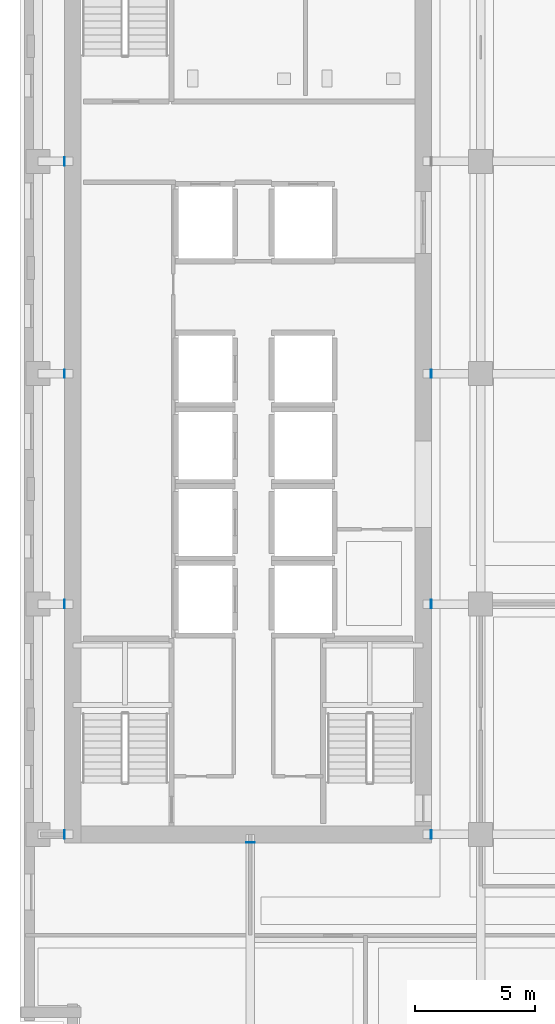
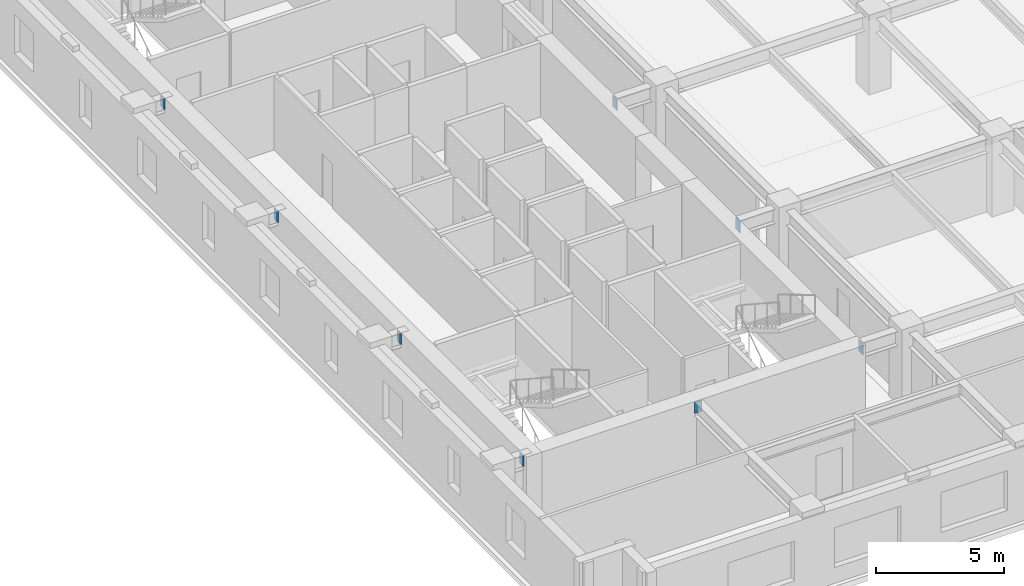
# One storey, part 9 of 16: 8 discrete accessories.
"""IFC4 building model written with IfcOpenShell, lengths in metres."""

from ifc_helpers import new_model, si_unit, direction, frame, origin, origin_2d, place, context, subcontext, project, spatial, rectangle, extrude, material, layer, layer_set, type_object, element, save


model = new_model("IFC4")

# Units and contexts
model_context = context("Model", 3, precision=1e-05, world=origin(), true_north=direction((0.0, 1.0)))
body_context = subcontext(model_context, "Body", "Model", "MODEL_VIEW")
ifc_project = project(units=[si_unit("LENGTHUNIT", "METRE"), si_unit("AREAUNIT", "SQUARE_METRE"), si_unit("VOLUMEUNIT", "CUBIC_METRE"), si_unit("PLANEANGLEUNIT", "RADIAN"), si_unit("MASSUNIT", "GRAM", prefix="KILO")], contexts=[model_context])

# Site, building, storey
site_placement = place(None, origin())
site = spatial("IfcSite", under=ifc_project, at=site_placement, CompositionType="ELEMENT")
building_placement = place(site_placement, origin())
building = spatial("IfcBuilding", under=site, at=building_placement, Name="Norrvale University Quadrangle", CompositionType="ELEMENT")
storey_placement = place(building_placement, frame((0.0, 0.0, 112.800048828125)))
storey = spatial("IfcBuildingStorey", under=building, at=storey_placement, Name="L28", CompositionType="ELEMENT", Elevation=112.800048828125)

# Discrete accessories
ifc_material = material(Name="Steel 350W", Category="steel")
ifc_layer = layer(ifc_material, 0.02490234375, Name="Steel 350W")
ifc_layer_set = layer_set([ifc_layer], Name="Steel 350W")
discrete_accessory_type = type_object("IfcDiscreteAccessoryType", Name="Accessory Cast In Embed Plate", PredefinedType="ANCHORPLATE", material=ifc_layer_set)
for number, where, z_axis, x_axis, name in (
    (1, (1.862548828125, 9.60009765625, 2.9599609375), (0.0, 0.0, 1.0), (1.0, 0.0, 0.0), "Core Wall Cast-in Embed Plate L28-GCW060"),
    (2, (17.137451171875, 9.60009765625, 2.9599609375), (0.0, 0.0, 1.0), (1.0, 0.0, 0.0), "Core Wall Cast-in Embed Plate L28-GCE061"),
    (3, (1.862548828125, 19.199951171875, 2.9599609375), (0.0, 0.0, 1.0), (1.0, 0.0, 0.0), "Core Wall Cast-in Embed Plate L28-GCW062"),
    (4, (17.137451171875, 19.199951171875, 2.9599609375), (0.0, 0.0, 1.0), (1.0, 0.0, 0.0), "Core Wall Cast-in Embed Plate L28-GCE063"),
    (5, (1.862548828125, 28.800048828125, 2.9599609375), (0.0, 0.0, 1.0), (1.0, 0.0, 0.0), "Core Wall Cast-in Embed Plate L28-GCW064"),
    (6, (17.137451171875, 28.800048828125, 2.9599609375), (0.0, 0.0, 1.0), (1.0, 0.0, 0.0), "Core Wall Cast-in Embed Plate L28-GCE065"),
    (7, (1.862548828125, 37.64990234375, 2.9599609375), (0.0, 0.0, 1.0), (1.0, 0.0, 0.0), "Core Wall Cast-in Embed Plate L28-GCW066"),
):
    element("IfcDiscreteAccessory", number, at=place(storey_placement, frame(where, z_axis=z_axis, x_axis=x_axis)), inside=storey, type_object=discrete_accessory_type, Name=name, PredefinedType="ANCHORPLATE", context=body_context, shape_type="SweptSolid", body=[
        extrude(rectangle(XDim=0.02490234375, YDim=0.35009765625, at=origin_2d()), origin(), (0.0, 0.0, 1.0), 0.5400390625),
    ])
discrete_accessory_placement = place(storey_placement, frame((9.60009765625, 9.262451171875, 2.9599609375), z_axis=(0.0, 0.0, 1.0), x_axis=(1.0, 0.0, 0.0)))
element("IfcDiscreteAccessory", 8, at=discrete_accessory_placement, inside=storey, type_object=discrete_accessory_type, Name="Core Wall Cast-in Embed Plate L28-GCS088", PredefinedType="ANCHORPLATE", context=body_context, shape_type="SweptSolid", body=[
    extrude(rectangle(XDim=0.35009765625, YDim=0.02490234375, at=origin_2d()), origin(), (0.0, 0.0, 1.0), 0.5400390625),
])

save(model, "model.ifc")
